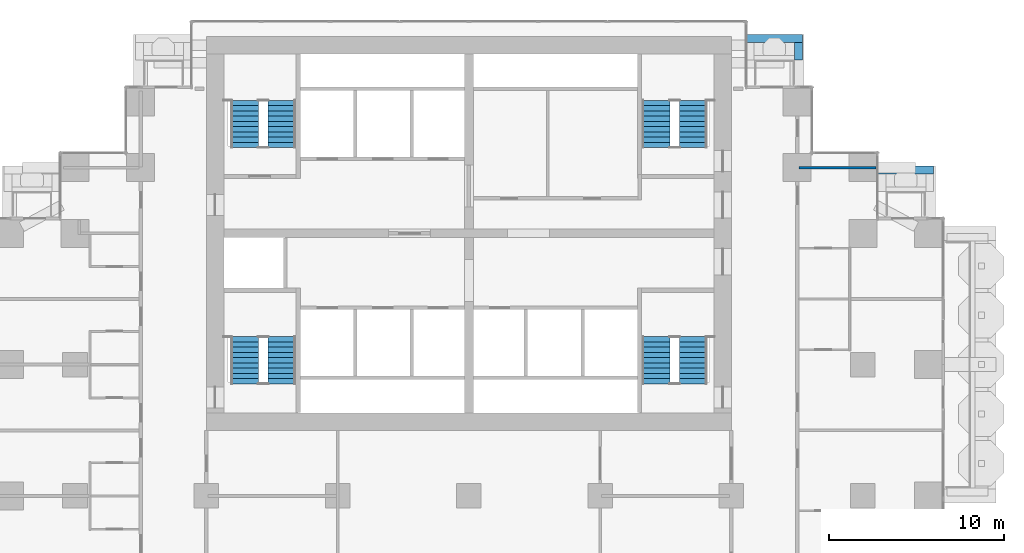
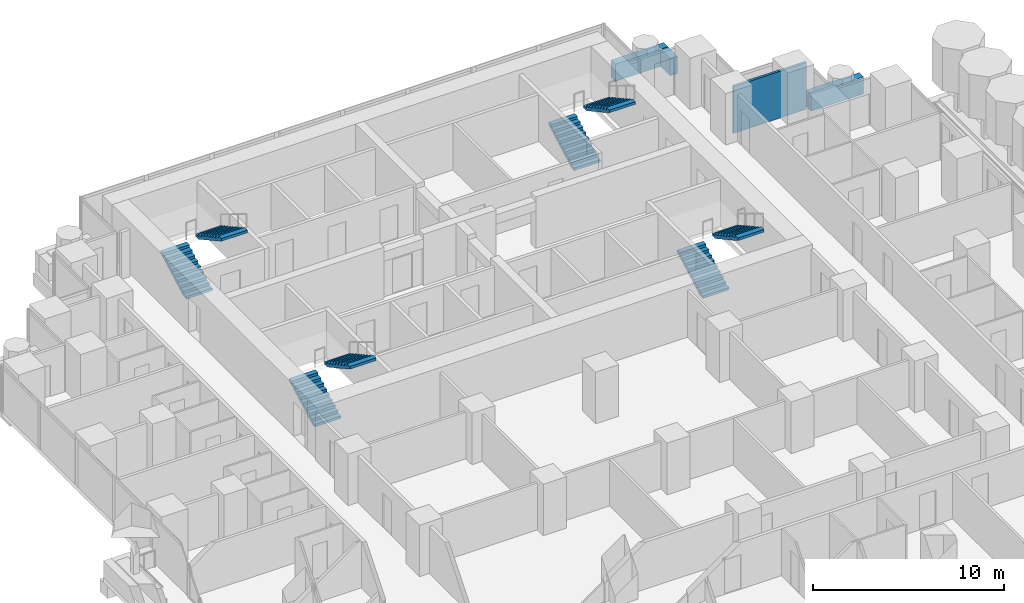
# One storey, part 15 of 18: 8 stair flights, 4 walls, 4 elements without a shape of their own.
"""IFC4 building model written with IfcOpenShell, lengths in metres."""

from ifc_helpers import new_model, si_unit, direction, frame, frame_2d, origin, place, context, subcontext, project, spatial, polyline, rectangle, outline, extrude, material, layer, layer_set, type_object, element, aggregate, save


model = new_model("IFC4")

# Units and contexts
model_context = context("Model", 3, precision=1e-05, world=origin(), true_north=direction((0.0, 1.0)))
body_context = subcontext(model_context, "Body", "Model", "MODEL_VIEW")
ifc_project = project(units=[si_unit("LENGTHUNIT", "METRE"), si_unit("AREAUNIT", "SQUARE_METRE"), si_unit("VOLUMEUNIT", "CUBIC_METRE"), si_unit("PLANEANGLEUNIT", "RADIAN"), si_unit("MASSUNIT", "GRAM", prefix="KILO")], contexts=[model_context])

# Site, building, storey
site_placement = place(None, origin())
site = spatial("IfcSite", under=ifc_project, at=site_placement, CompositionType="ELEMENT")
building_placement = place(site_placement, origin())
building = spatial("IfcBuilding", under=site, at=building_placement, Name="Pilkhan Gate Tower", CompositionType="ELEMENT")
storey_placement = place(building_placement, frame((0.0, 0.0, 52.699951171875)))
storey = spatial("IfcBuildingStorey", under=building, at=storey_placement, Name="L10", CompositionType="ELEMENT", Elevation=52.699951171875)

# Walls
ifc_material_1 = material(Name="Board-marked Concrete C40/50", Category="concrete")
ifc_layer_1 = layer(ifc_material_1, 0.449951171875)
ifc_layer_set_1 = layer_set([ifc_layer_1], Name="Balcony planter lip BL450")
wall_type_1 = type_object("IfcWallType", Name="Balcony planter lip BL450", PredefinedType="USERDEFINED", material=ifc_layer_set_1)
wall_1_placement = place(storey_placement, frame((90.85009765625, 93.625, 0.0), z_axis=(0.0, 0.0, 1.0), x_axis=(1.0, 0.0, 0.0)))
element("IfcWall", 1, at=wall_1_placement, inside=storey, type_object=wall_type_1, Name="Balcony planter L10 N", ObjectType="BALCONY PLANTER", PredefinedType="USERDEFINED", context=body_context, shape_type="SweptSolid", body=[
    extrude(rectangle(XDim=3.199951171875, YDim=0.449951171875, at=frame_2d((1.60009765625, 0.0))), origin(), (0.0, 0.0, 1.0), 1.10009765625),
])
wall_2_placement = place(storey_placement, frame((93.824951171875, 92.39990234375, 0.0), z_axis=(0.0, 0.0, 1.0), x_axis=(0.0, 1.0, 0.0)))
element("IfcWall", 2, at=wall_2_placement, inside=storey, type_object=wall_type_1, Name="Balcony planter L10 N", ObjectType="BALCONY PLANTER", PredefinedType="USERDEFINED", context=body_context, shape_type="SweptSolid", body=[
    extrude(rectangle(XDim=1.0, YDim=0.449951171875, at=frame_2d((0.5, 0.0))), origin(), (0.0, 0.0, 1.0), 1.10009765625),
])
wall_3_placement = place(storey_placement, frame((98.3701171875, 86.125, 0.0), z_axis=(0.0, 0.0, 1.0), x_axis=(1.0, 0.0, 0.0)))
element("IfcWall", 3, at=wall_3_placement, inside=storey, type_object=wall_type_1, Name="Balcony planter L10 N", ObjectType="BALCONY PLANTER", PredefinedType="USERDEFINED", context=body_context, shape_type="SweptSolid", body=[
    extrude(rectangle(XDim=3.179931640625, YDim=0.449951171875, at=frame_2d((1.58984375, 0.0))), origin(), (0.0, 0.0, 1.0), 1.10009765625),
])
ifc_material_2 = material(Name="Blockwork partition, plastered both sides", Category="masonry")
ifc_layer_2 = layer(ifc_material_2, 0.14990234375)
ifc_layer_set_2 = layer_set([ifc_layer_2], Name="Partition PW150")
wall_type_2 = type_object("IfcWallType", Name="Partition PW150", PredefinedType="PARTITIONING", material=ifc_layer_set_2)
wall_4_placement = place(storey_placement, frame((93.85009765625, 86.25, 0.0), z_axis=(0.0, 0.0, 1.0), x_axis=(1.0, 0.0, 0.0)))
element("IfcWall", 4, at=wall_4_placement, inside=storey, type_object=wall_type_2, Name="Partition L10", PredefinedType="PARTITIONING", context=body_context, shape_type="SweptSolid", body=[
    extrude(rectangle(XDim=4.414794921875, YDim=0.14990234375, at=frame_2d((2.20751953125, 0.0))), origin(), (0.0, 0.0, 1.0), 3.0),
])

# Stair, stair flights
ifc_material_3 = material(Name="Concrete C40/50 precast", Category="concrete")
stair_type_1 = type_object("IfcStairType", Name="Stair ST1 165x300", PredefinedType="HALF_TURN_STAIR", material=ifc_material_3)
stair_1_placement = place(storey_placement, origin())
stair_1 = element("IfcStair", 5, at=stair_1_placement, inside=storey, type_object=stair_type_1, Name="Stair ST1 L10", PredefinedType="HALF_TURN_STAIR")
stair_flight_type_1 = type_object("IfcStairFlightType", Name="Stair flight ST1 165x300x10", PredefinedType="STRAIGHT", material=ifc_material_3)
stair_flight_1_placement = place(storey_placement, frame((85.68994140625, 73.89990234375, 0.0), z_axis=(0.0, 0.0, 1.0), x_axis=(0.0, 1.0, 0.0)))
stair_flight_1 = element("IfcStairFlight", 6, at=stair_flight_1_placement, type_object=stair_flight_type_1, Name="ST1 flight 1", NumberOfRisers=10, NumberOfTreads=9, PredefinedType="STRAIGHT", RiserHeight=0.165, TreadLength=0.3, context=body_context, shape_type="SweptSolid", body=[
    extrude(outline(polyline([(0.0, 0.0), (0.0, 0.1650390625), (0.300048828125, 0.1650390625), (0.300048828125, 0.330078125), (0.60009765625, 0.330078125), (0.60009765625, 0.4951171875), (0.89990234375, 0.4951171875), (0.89990234375, 0.659912109375), (1.199951171875, 0.659912109375), (1.199951171875, 0.824951171875), (1.5, 0.824951171875), (1.5, 0.989990234375), (1.800048828125, 0.989990234375), (1.800048828125, 1.155029296875), (2.10009765625, 1.155029296875), (2.10009765625, 1.320068359375), (2.39990234375, 1.320068359375), (2.39990234375, 1.485107421875), (2.699951171875, 1.485107421875), (2.699951171875, 1.64990234375), (2.699951171875, 1.31396484375), (0.31103515625, 0.0), (0.0, 0.0)])), frame((0.0, 0.7900390625, 0.0), z_axis=(0.0, -1.0, 0.0), x_axis=(1.0, 0.0, 0.0)), (0.0, 0.0, 1.0), 1.580078125),
])
stair_flight_2_placement = place(storey_placement, frame((87.81005859375, 76.60009765625, 1.650146484375), z_axis=(0.0, 0.0, 1.0), x_axis=(0.0, -1.0, 0.0)))
stair_flight_2 = element("IfcStairFlight", 7, at=stair_flight_2_placement, type_object=stair_flight_type_1, Name="ST1 flight 2", NumberOfRisers=10, NumberOfTreads=9, PredefinedType="STRAIGHT", RiserHeight=0.165, TreadLength=0.3, context=body_context, shape_type="SweptSolid", body=[
    extrude(outline(polyline([(0.0, 0.0), (0.0, 0.1650390625), (0.300048828125, 0.1650390625), (0.300048828125, 0.330078125), (0.60009765625, 0.330078125), (0.60009765625, 0.4951171875), (0.89990234375, 0.4951171875), (0.89990234375, 0.659912109375), (1.199951171875, 0.659912109375), (1.199951171875, 0.824951171875), (1.5, 0.824951171875), (1.5, 0.989990234375), (1.800048828125, 0.989990234375), (1.800048828125, 1.155029296875), (2.10009765625, 1.155029296875), (2.10009765625, 1.320068359375), (2.39990234375, 1.320068359375), (2.39990234375, 1.485107421875), (2.699951171875, 1.485107421875), (2.699951171875, 1.64990234375), (2.699951171875, 1.31396484375), (0.31103515625, 0.0), (0.0, 0.0)])), frame((0.0, 0.7900390625, 0.0), z_axis=(0.0, -1.0, 0.0), x_axis=(1.0, 0.0, 0.0)), (0.0, 0.0, 1.0), 1.580078125),
])
aggregate(stair_1, [stair_flight_1, stair_flight_2])

stair_type_2 = type_object("IfcStairType", Name="Stair ST2 165x300", PredefinedType="HALF_TURN_STAIR", material=ifc_material_3)
stair_2_placement = place(storey_placement, origin())
stair_2 = element("IfcStair", 8, at=stair_2_placement, inside=storey, type_object=stair_type_2, Name="Stair ST2 L10", PredefinedType="HALF_TURN_STAIR")
stair_flight_type_2 = type_object("IfcStairFlightType", Name="Stair flight ST2 165x300x10", PredefinedType="STRAIGHT", material=ifc_material_3)
stair_flight_3_placement = place(storey_placement, frame((62.18994140625, 73.89990234375, 0.0), z_axis=(0.0, 0.0, 1.0), x_axis=(0.0, 1.0, 0.0)))
stair_flight_3 = element("IfcStairFlight", 9, at=stair_flight_3_placement, type_object=stair_flight_type_2, Name="ST2 flight 1", NumberOfRisers=10, NumberOfTreads=9, PredefinedType="STRAIGHT", RiserHeight=0.165, TreadLength=0.3, context=body_context, shape_type="SweptSolid", body=[
    extrude(outline(polyline([(0.0, 0.0), (0.0, 0.1650390625), (0.300048828125, 0.1650390625), (0.300048828125, 0.330078125), (0.60009765625, 0.330078125), (0.60009765625, 0.4951171875), (0.89990234375, 0.4951171875), (0.89990234375, 0.659912109375), (1.199951171875, 0.659912109375), (1.199951171875, 0.824951171875), (1.5, 0.824951171875), (1.5, 0.989990234375), (1.800048828125, 0.989990234375), (1.800048828125, 1.155029296875), (2.10009765625, 1.155029296875), (2.10009765625, 1.320068359375), (2.39990234375, 1.320068359375), (2.39990234375, 1.485107421875), (2.699951171875, 1.485107421875), (2.699951171875, 1.64990234375), (2.699951171875, 1.31396484375), (0.31103515625, 0.0), (0.0, 0.0)])), frame((0.0, 0.7900390625, 0.0), z_axis=(0.0, -1.0, 0.0), x_axis=(1.0, 0.0, 0.0)), (0.0, 0.0, 1.0), 1.580078125),
])
stair_flight_4_placement = place(storey_placement, frame((64.31005859375, 76.60009765625, 1.650146484375), z_axis=(0.0, 0.0, 1.0), x_axis=(0.0, -1.0, 0.0)))
stair_flight_4 = element("IfcStairFlight", 10, at=stair_flight_4_placement, type_object=stair_flight_type_2, Name="ST2 flight 2", NumberOfRisers=10, NumberOfTreads=9, PredefinedType="STRAIGHT", RiserHeight=0.165, TreadLength=0.3, context=body_context, shape_type="SweptSolid", body=[
    extrude(outline(polyline([(0.0, 0.0), (0.0, 0.1650390625), (0.300048828125, 0.1650390625), (0.300048828125, 0.330078125), (0.60009765625, 0.330078125), (0.60009765625, 0.4951171875), (0.89990234375, 0.4951171875), (0.89990234375, 0.659912109375), (1.199951171875, 0.659912109375), (1.199951171875, 0.824951171875), (1.5, 0.824951171875), (1.5, 0.989990234375), (1.800048828125, 0.989990234375), (1.800048828125, 1.155029296875), (2.10009765625, 1.155029296875), (2.10009765625, 1.320068359375), (2.39990234375, 1.320068359375), (2.39990234375, 1.485107421875), (2.699951171875, 1.485107421875), (2.699951171875, 1.64990234375), (2.699951171875, 1.31396484375), (0.31103515625, 0.0), (0.0, 0.0)])), frame((0.0, 0.7900390625, 0.0), z_axis=(0.0, -1.0, 0.0), x_axis=(1.0, 0.0, 0.0)), (0.0, 0.0, 1.0), 1.580078125),
])
aggregate(stair_2, [stair_flight_3, stair_flight_4])

stair_type_3 = type_object("IfcStairType", Name="Stair ST3 165x300", PredefinedType="HALF_TURN_STAIR", material=ifc_material_3)
stair_3_placement = place(storey_placement, origin())
stair_3 = element("IfcStair", 11, at=stair_3_placement, inside=storey, type_object=stair_type_3, Name="Stair ST3 L10", PredefinedType="HALF_TURN_STAIR")
stair_flight_type_3 = type_object("IfcStairFlightType", Name="Stair flight ST3 165x300x10", PredefinedType="STRAIGHT", material=ifc_material_3)
stair_flight_5_placement = place(storey_placement, frame((62.18994140625, 87.39990234375, 0.0), z_axis=(0.0, 0.0, 1.0), x_axis=(0.0, 1.0, 0.0)))
stair_flight_5 = element("IfcStairFlight", 12, at=stair_flight_5_placement, type_object=stair_flight_type_3, Name="ST3 flight 1", NumberOfRisers=10, NumberOfTreads=9, PredefinedType="STRAIGHT", RiserHeight=0.165, TreadLength=0.3, context=body_context, shape_type="SweptSolid", body=[
    extrude(outline(polyline([(0.0, 0.0), (0.0, 0.1650390625), (0.300048828125, 0.1650390625), (0.300048828125, 0.330078125), (0.60009765625, 0.330078125), (0.60009765625, 0.4951171875), (0.89990234375, 0.4951171875), (0.89990234375, 0.659912109375), (1.199951171875, 0.659912109375), (1.199951171875, 0.824951171875), (1.5, 0.824951171875), (1.5, 0.989990234375), (1.800048828125, 0.989990234375), (1.800048828125, 1.155029296875), (2.10009765625, 1.155029296875), (2.10009765625, 1.320068359375), (2.39990234375, 1.320068359375), (2.39990234375, 1.485107421875), (2.699951171875, 1.485107421875), (2.699951171875, 1.64990234375), (2.699951171875, 1.31396484375), (0.31103515625, 0.0), (0.0, 0.0)])), frame((0.0, 0.7900390625, 0.0), z_axis=(0.0, -1.0, 0.0), x_axis=(1.0, 0.0, 0.0)), (0.0, 0.0, 1.0), 1.580078125),
])
stair_flight_6_placement = place(storey_placement, frame((64.31005859375, 90.10009765625, 1.650146484375), z_axis=(0.0, 0.0, 1.0), x_axis=(0.0, -1.0, 0.0)))
stair_flight_6 = element("IfcStairFlight", 13, at=stair_flight_6_placement, type_object=stair_flight_type_3, Name="ST3 flight 2", NumberOfRisers=10, NumberOfTreads=9, PredefinedType="STRAIGHT", RiserHeight=0.165, TreadLength=0.3, context=body_context, shape_type="SweptSolid", body=[
    extrude(outline(polyline([(0.0, 0.0), (0.0, 0.1650390625), (0.300048828125, 0.1650390625), (0.300048828125, 0.330078125), (0.60009765625, 0.330078125), (0.60009765625, 0.4951171875), (0.89990234375, 0.4951171875), (0.89990234375, 0.659912109375), (1.199951171875, 0.659912109375), (1.199951171875, 0.824951171875), (1.5, 0.824951171875), (1.5, 0.989990234375), (1.800048828125, 0.989990234375), (1.800048828125, 1.155029296875), (2.10009765625, 1.155029296875), (2.10009765625, 1.320068359375), (2.39990234375, 1.320068359375), (2.39990234375, 1.485107421875), (2.699951171875, 1.485107421875), (2.699951171875, 1.64990234375), (2.699951171875, 1.31396484375), (0.31103515625, 0.0), (0.0, 0.0)])), frame((0.0, 0.7900390625, 0.0), z_axis=(0.0, -1.0, 0.0), x_axis=(1.0, 0.0, 0.0)), (0.0, 0.0, 1.0), 1.580078125),
])
aggregate(stair_3, [stair_flight_5, stair_flight_6])

stair_type_4 = type_object("IfcStairType", Name="Stair ST4 165x300", PredefinedType="HALF_TURN_STAIR", material=ifc_material_3)
stair_4_placement = place(storey_placement, origin())
stair_4 = element("IfcStair", 14, at=stair_4_placement, inside=storey, type_object=stair_type_4, Name="Stair ST4 L10", PredefinedType="HALF_TURN_STAIR")
stair_flight_type_4 = type_object("IfcStairFlightType", Name="Stair flight ST4 165x300x10", PredefinedType="STRAIGHT", material=ifc_material_3)
stair_flight_7_placement = place(storey_placement, frame((85.68994140625, 87.39990234375, 0.0), z_axis=(0.0, 0.0, 1.0), x_axis=(0.0, 1.0, 0.0)))
stair_flight_7 = element("IfcStairFlight", 15, at=stair_flight_7_placement, type_object=stair_flight_type_4, Name="ST4 flight 1", NumberOfRisers=10, NumberOfTreads=9, PredefinedType="STRAIGHT", RiserHeight=0.165, TreadLength=0.3, context=body_context, shape_type="SweptSolid", body=[
    extrude(outline(polyline([(0.0, 0.0), (0.0, 0.1650390625), (0.300048828125, 0.1650390625), (0.300048828125, 0.330078125), (0.60009765625, 0.330078125), (0.60009765625, 0.4951171875), (0.89990234375, 0.4951171875), (0.89990234375, 0.659912109375), (1.199951171875, 0.659912109375), (1.199951171875, 0.824951171875), (1.5, 0.824951171875), (1.5, 0.989990234375), (1.800048828125, 0.989990234375), (1.800048828125, 1.155029296875), (2.10009765625, 1.155029296875), (2.10009765625, 1.320068359375), (2.39990234375, 1.320068359375), (2.39990234375, 1.485107421875), (2.699951171875, 1.485107421875), (2.699951171875, 1.64990234375), (2.699951171875, 1.31396484375), (0.31103515625, 0.0), (0.0, 0.0)])), frame((0.0, 0.7900390625, 0.0), z_axis=(0.0, -1.0, 0.0), x_axis=(1.0, 0.0, 0.0)), (0.0, 0.0, 1.0), 1.580078125),
])
stair_flight_8_placement = place(storey_placement, frame((87.81005859375, 90.10009765625, 1.650146484375), z_axis=(0.0, 0.0, 1.0), x_axis=(0.0, -1.0, 0.0)))
stair_flight_8 = element("IfcStairFlight", 16, at=stair_flight_8_placement, type_object=stair_flight_type_4, Name="ST4 flight 2", NumberOfRisers=10, NumberOfTreads=9, PredefinedType="STRAIGHT", RiserHeight=0.165, TreadLength=0.3, context=body_context, shape_type="SweptSolid", body=[
    extrude(outline(polyline([(0.0, 0.0), (0.0, 0.1650390625), (0.300048828125, 0.1650390625), (0.300048828125, 0.330078125), (0.60009765625, 0.330078125), (0.60009765625, 0.4951171875), (0.89990234375, 0.4951171875), (0.89990234375, 0.659912109375), (1.199951171875, 0.659912109375), (1.199951171875, 0.824951171875), (1.5, 0.824951171875), (1.5, 0.989990234375), (1.800048828125, 0.989990234375), (1.800048828125, 1.155029296875), (2.10009765625, 1.155029296875), (2.10009765625, 1.320068359375), (2.39990234375, 1.320068359375), (2.39990234375, 1.485107421875), (2.699951171875, 1.485107421875), (2.699951171875, 1.64990234375), (2.699951171875, 1.31396484375), (0.31103515625, 0.0), (0.0, 0.0)])), frame((0.0, 0.7900390625, 0.0), z_axis=(0.0, -1.0, 0.0), x_axis=(1.0, 0.0, 0.0)), (0.0, 0.0, 1.0), 1.580078125),
])
aggregate(stair_4, [stair_flight_7, stair_flight_8])

save(model, "model.ifc")
